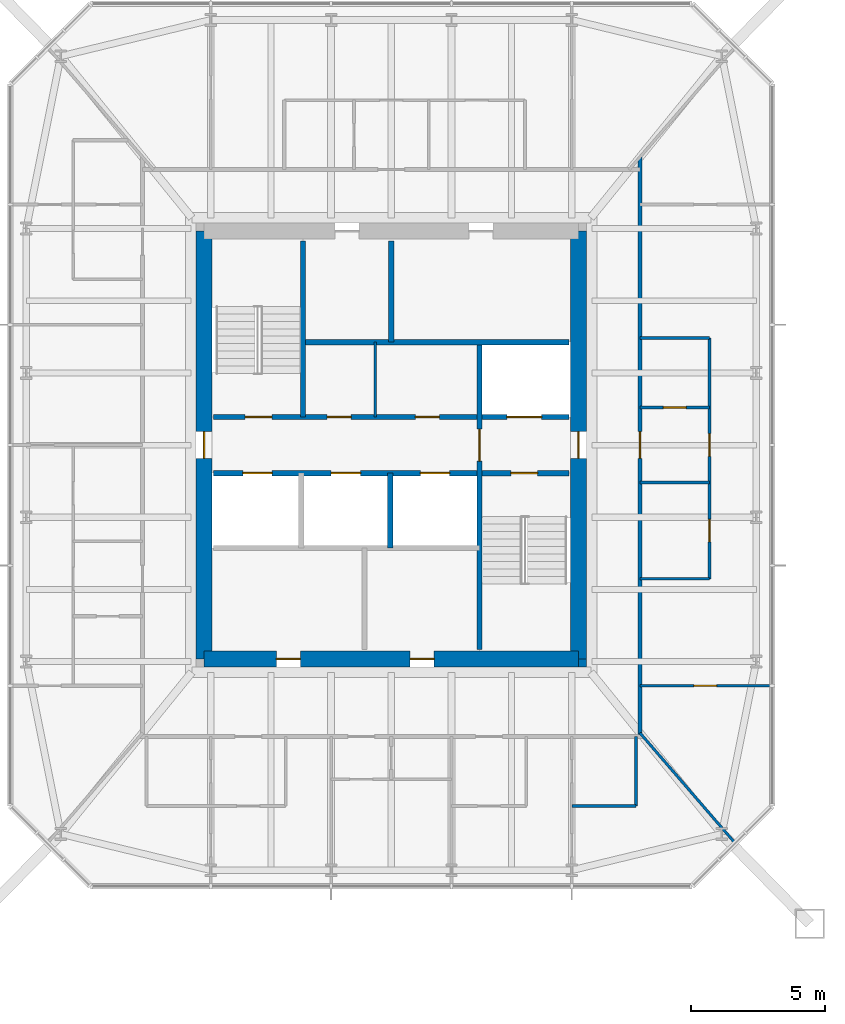
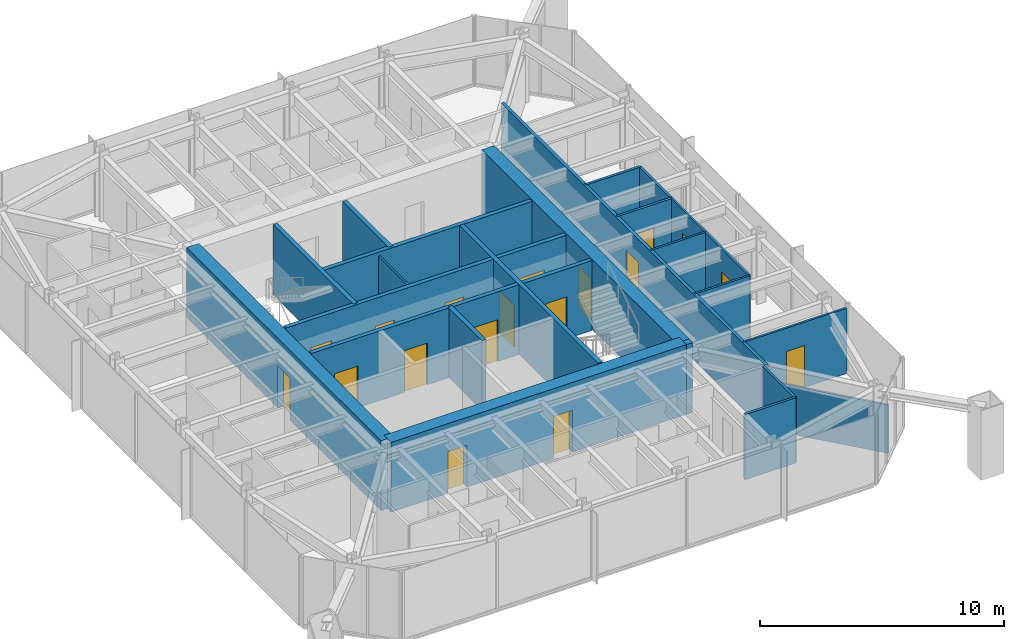
# One storey, part 18 of 25: 22 walls, 18 doors, 18 openings.
"""IFC4 building model written with IfcOpenShell, lengths in metres."""

from ifc_helpers import new_model, si_unit, direction, frame, frame_2d, origin, place, context, subcontext, project, spatial, rectangle, extrude, material, layer, layer_set, type_object, element, fill, save


model = new_model("IFC4")

# Units and contexts
model_context = context("Model", 3, precision=1e-05, world=origin(), true_north=direction((0.0, 1.0)))
body_context = subcontext(model_context, "Body", "Model", "MODEL_VIEW")
ifc_project = project(units=[si_unit("LENGTHUNIT", "METRE"), si_unit("AREAUNIT", "SQUARE_METRE"), si_unit("VOLUMEUNIT", "CUBIC_METRE"), si_unit("PLANEANGLEUNIT", "RADIAN"), si_unit("MASSUNIT", "GRAM", prefix="KILO")], contexts=[model_context])

# Site, building, storey
site_placement = place(None, origin())
site = spatial("IfcSite", under=ifc_project, at=site_placement, CompositionType="ELEMENT")
building_placement = place(site_placement, origin())
building = spatial("IfcBuilding", under=site, at=building_placement, Name="Iwan Alto Co-Living Towers", CompositionType="ELEMENT")
storey_placement = place(building_placement, frame((0.0, 0.0, 84.0)))
storey = spatial("IfcBuildingStorey", under=building, at=storey_placement, Name="L22", CompositionType="ELEMENT", Elevation=84.0)

# Wall, opening, door
ifc_material_1 = material(Name="Gypsum board")
ifc_layer_1 = layer(ifc_material_1, 0.02490234375, Name="Board", Category="Finish")
ifc_material_2 = material(Name="Steel ASTM A1003 ST33H cold-formed studs", Category="steel")
ifc_layer_2 = layer(ifc_material_2, 0.10009765625, Name="Studs", Category="Framing")
ifc_layer_3 = layer(ifc_material_1, 0.02490234375, Name="Board", Category="Finish")
ifc_layer_set_1 = layer_set([ifc_layer_1, ifc_layer_2, ifc_layer_3], Name="CORRIDOR WALL 150")
wall_type_1 = type_object("IfcWallType", Name="CORRIDOR WALL 150", PredefinedType="PARTITIONING", material=ifc_layer_set_1)
wall_1_placement = place(storey_placement, frame((72.300048828125, -10.89990234375, 0.0), z_axis=(0.0, 0.0, 1.0), x_axis=(0.0, 1.0, 0.0)))
wall_1 = element("IfcWall", 1, at=wall_1_placement, inside=storey, type_object=wall_type_1, Name="Partition L22", PredefinedType="PARTITIONING", context=body_context, shape_type="SweptSolid", body=[
    extrude(rectangle(XDim=21.66796875, YDim=0.14990234375, at=frame_2d((10.833984375, 0.0))), origin(), (0.0, 0.0, 1.0), 3.27001953125),
])
opening_1_placement = place(wall_1_placement, frame((10.39990234375, 0.0, 0.0)))
opening_1 = element("IfcOpeningElement", 2, at=opening_1_placement, cuts=wall_1, Name="Opening D3", PredefinedType="OPENING", context=body_context, shape_type="SweptSolid", body=[
    extrude(rectangle(XDim=1.0, YDim=2.10009765625, at=frame_2d((0.5, 1.050048828125))), frame((0.0, 0.0849609375, 0.0), z_axis=(0.0, -1.0, 0.0), x_axis=(1.0, 0.0, 0.0)), (0.0, 0.0, 1.0), 0.169921875),
])
ifc_material_3 = material(Name="Steel frame with timber leaf", Category="steel")
door_type_1 = type_object("IfcDoorType", Name="FLAT ENTRANCE DOOR FD30S 1000X2100", OperationType="SINGLE_SWING_LEFT", PredefinedType="DOOR", material=ifc_material_3)
door_1_placement = place(opening_1_placement, frame((1.0, 0.0, 0.0), z_axis=(0.0, 0.0, 1.0), x_axis=(-1.0, 0.0, 0.0)))
door_1 = element("IfcDoor", 3, at=door_1_placement, inside=storey, type_object=door_type_1, Name="Apartment foyer door L22", OperationType="SINGLE_SWING_RIGHT", OverallHeight=2.10009765625, OverallWidth=1.0, PredefinedType="DOOR", context=body_context, shape_type="SweptSolid", body=[
    extrude(rectangle(XDim=1.0, YDim=2.10009765625, at=frame_2d((0.5, 1.050048828125))), frame((0.0, 0.02490234375, 0.0), z_axis=(0.0, -1.0, 0.0), x_axis=(1.0, 0.0, 0.0)), (0.0, 0.0, 1.0), 0.050048828125),
])
fill(opening_1, door_1)

ifc_layer_4 = layer(ifc_material_1, 0.012451171875, Name="Board", Category="Finish")
ifc_layer_5 = layer(ifc_material_2, 0.074951171875, Name="Studs", Category="Framing")
ifc_layer_6 = layer(ifc_material_1, 0.012451171875, Name="Board", Category="Finish")
ifc_layer_set_2 = layer_set([ifc_layer_4, ifc_layer_5, ifc_layer_6], Name="PARTITION 100")
wall_type_2 = type_object("IfcWallType", Name="PARTITION 100", PredefinedType="PARTITIONING", material=ifc_layer_set_2)
wall_2_placement = place(storey_placement, frame((72.300048828125, -9.0, 0.0), z_axis=(0.0, 0.0, 1.0), x_axis=(1.0, 0.0, 0.0)))
wall_2 = element("IfcWall", 4, at=wall_2_placement, inside=storey, type_object=wall_type_2, Name="Partition L22", PredefinedType="PARTITIONING", context=body_context, shape_type="SweptSolid", body=[
    extrude(rectangle(XDim=4.889892578125, YDim=0.10009765625, at=frame_2d((2.44482421875, 0.0))), origin(), (0.0, 0.0, 1.0), 3.27001953125),
])
opening_2_placement = place(wall_2_placement, frame((2.02001953125, 0.0, 0.0)))
opening_2 = element("IfcOpeningElement", 5, at=opening_2_placement, cuts=wall_2, Name="Opening D2", PredefinedType="OPENING", context=body_context, shape_type="SweptSolid", body=[
    extrude(rectangle(XDim=0.85009765625, YDim=2.10009765625, at=frame_2d((0.425048828125, 1.050048828125))), frame((0.0, 0.06005859375, 0.0), z_axis=(0.0, -1.0, 0.0), x_axis=(1.0, 0.0, 0.0)), (0.0, 0.0, 1.0), 0.1201171875),
])
ifc_material_4 = material(Name="Timber leaf in steel frame", Category="steel")
door_type_2 = type_object("IfcDoorType", Name="ROOM DOOR 850X2100", OperationType="SINGLE_SWING_LEFT", PredefinedType="DOOR", material=ifc_material_4)
door_2_placement = place(opening_2_placement, origin())
door_2 = element("IfcDoor", 6, at=door_2_placement, inside=storey, type_object=door_type_2, Name="Bedroom door L22", OperationType="SINGLE_SWING_LEFT", OverallHeight=2.10009765625, OverallWidth=0.85009765625, PredefinedType="DOOR", context=body_context, shape_type="SweptSolid", body=[
    extrude(rectangle(XDim=0.85009765625, YDim=2.10009765625, at=frame_2d((0.425048828125, 1.050048828125))), frame((0.0, 0.02490234375, 0.0), z_axis=(0.0, -1.0, 0.0), x_axis=(1.0, 0.0, 0.0)), (0.0, 0.0, 1.0), 0.050048828125),
])
fill(opening_2, door_2)

# Walls
for number, where, z_axis, x_axis, name in (
    (7, (72.300048828125, -5.0, 0.0), (0.0, 0.0, 1.0), (1.0, 0.0, 0.0), "Partition L22"),
    (8, (72.300048828125, -1.39990234375, 0.0), (0.0, 0.0, 1.0), (1.0, 0.0, 0.0), "Partition L22"),
):
    element("IfcWall", number, at=place(storey_placement, frame(where, z_axis=z_axis, x_axis=x_axis)), inside=storey, type_object=wall_type_2, Name=name, PredefinedType="PARTITIONING", context=body_context, shape_type="SweptSolid", body=[
        extrude(rectangle(XDim=2.599853515625, YDim=0.10009765625, at=frame_2d((1.2998046875, 0.0))), origin(), (0.0, 0.0, 1.0), 3.27001953125),
    ])

# Wall, openings, doors
wall_3_placement = place(storey_placement, frame((74.89990234375, -5.0, 0.0), z_axis=(0.0, 0.0, 1.0), x_axis=(0.0, 1.0, 0.0)))
wall_3 = element("IfcWall", 9, at=wall_3_placement, inside=storey, type_object=wall_type_2, Name="Partition L22", PredefinedType="PARTITIONING", context=body_context, shape_type="SweptSolid", body=[
    extrude(rectangle(XDim=9.0, YDim=0.10009765625, at=frame_2d((4.5, 0.0))), origin(), (0.0, 0.0, 1.0), 3.27001953125),
])
opening_3_placement = place(wall_3_placement, frame((1.375, 0.0, 0.0)))
opening_3 = element("IfcOpeningElement", 10, at=opening_3_placement, cuts=wall_3, Name="Opening D2", PredefinedType="OPENING", context=body_context, shape_type="SweptSolid", body=[
    extrude(rectangle(XDim=0.85009765625, YDim=2.10009765625, at=frame_2d((0.425048828125, 1.050048828125))), frame((0.0, 0.06005859375, 0.0), z_axis=(0.0, -1.0, 0.0), x_axis=(1.0, 0.0, 0.0)), (0.0, 0.0, 1.0), 0.1201171875),
])
opening_4_placement = place(wall_3_placement, frame((4.574951171875, 0.0, 0.0)))
opening_4 = element("IfcOpeningElement", 11, at=opening_4_placement, cuts=wall_3, Name="Opening D2", PredefinedType="OPENING", context=body_context, shape_type="SweptSolid", body=[
    extrude(rectangle(XDim=0.85009765625, YDim=2.10009765625, at=frame_2d((0.425048828125, 1.050048828125))), frame((0.0, 0.06005859375, 0.0), z_axis=(0.0, -1.0, 0.0), x_axis=(1.0, 0.0, 0.0)), (0.0, 0.0, 1.0), 0.1201171875),
])
door_3_placement = place(opening_3_placement, frame((0.85009765625, 0.0, 0.0), z_axis=(0.0, 0.0, 1.0), x_axis=(-1.0, 0.0, 0.0)))
door_3 = element("IfcDoor", 12, at=door_3_placement, inside=storey, type_object=door_type_2, Name="Kitchen door L22", OperationType="SINGLE_SWING_RIGHT", OverallHeight=2.10009765625, OverallWidth=0.85009765625, PredefinedType="DOOR", context=body_context, shape_type="SweptSolid", body=[
    extrude(rectangle(XDim=0.85009765625, YDim=2.10009765625, at=frame_2d((0.425048828125, 1.050048828125))), frame((0.0, 0.02490234375, 0.0), z_axis=(0.0, -1.0, 0.0), x_axis=(1.0, 0.0, 0.0)), (0.0, 0.0, 1.0), 0.050048828125),
])
fill(opening_3, door_3)
door_4_placement = place(opening_4_placement, frame((0.85009765625, 0.0, 0.0), z_axis=(0.0, 0.0, 1.0), x_axis=(-1.0, 0.0, 0.0)))
door_4 = element("IfcDoor", 13, at=door_4_placement, inside=storey, type_object=door_type_2, Name="Apartment foyer door L22", OperationType="SINGLE_SWING_RIGHT", OverallHeight=2.10009765625, OverallWidth=0.85009765625, PredefinedType="DOOR", context=body_context, shape_type="SweptSolid", body=[
    extrude(rectangle(XDim=0.85009765625, YDim=2.10009765625, at=frame_2d((0.425048828125, 1.050048828125))), frame((0.0, 0.02490234375, 0.0), z_axis=(0.0, -1.0, 0.0), x_axis=(1.0, 0.0, 0.0)), (0.0, 0.0, 1.0), 0.050048828125),
])
fill(opening_4, door_4)

# Walls
wall_4_placement = place(storey_placement, frame((62.39990234375, 1.050048828125, 0.0), z_axis=(0.0, 0.0, 1.0), x_axis=(0.0, 1.0, 0.0)))
element("IfcWall", 14, at=wall_4_placement, inside=storey, type_object=wall_type_2, Name="Partition L22", PredefinedType="PARTITIONING", context=body_context, shape_type="SweptSolid", body=[
    extrude(rectangle(XDim=2.800048828125, YDim=0.10009765625, at=frame_2d((1.39990234375, 0.0))), origin(), (0.0, 0.0, 1.0), 3.300048828125),
])
wall_5_placement = place(storey_placement, frame((75.821044921875, -14.843994140625, 0.0), z_axis=(0.0, 0.0, 1.0), x_axis=(-0.653713095188, 0.756742485381, 0.0)))
element("IfcWall", 15, at=wall_5_placement, inside=storey, type_object=wall_type_2, Name="Partition L22", PredefinedType="PARTITIONING", context=body_context, shape_type="SweptSolid", body=[
    extrude(rectangle(XDim=5.38623046875, YDim=0.10009765625, at=frame_2d((2.693115234375, 0.0))), origin(), (0.0, 0.0, 1.0), 2.42919921875),
])

# Wall, openings, doors
ifc_material_5 = material(Name="Concrete f'c 70 MPa", Category="concrete")
ifc_layer_7 = layer(ifc_material_5, 0.199951171875)
ifc_layer_set_3 = layer_set([ifc_layer_7], Name="SHAFT WALL 200")
wall_type_3 = type_object("IfcWallType", Name="SHAFT WALL 200", PredefinedType="SOLIDWALL", material=ifc_layer_set_3)
wall_6_placement = place(storey_placement, frame((56.360107421875, -1.050048828125, 0.0), z_axis=(0.0, 0.0, 1.0), x_axis=(1.0, 0.0, 0.0)))
wall_6 = element("IfcWall", 16, at=wall_6_placement, inside=storey, type_object=wall_type_3, Name="Shaft wall L22", PredefinedType="SOLIDWALL", context=body_context, shape_type="SweptSolid", body=[
    extrude(rectangle(XDim=13.27978515625, YDim=0.199951171875, at=frame_2d((6.639892578125, 0.0))), origin(), (0.0, 0.0, 1.0), 3.5),
])
opening_5_placement = place(wall_6_placement, frame((11.110107421875, 0.0, 0.0)))
opening_5 = element("IfcOpeningElement", 17, at=opening_5_placement, cuts=wall_6, Name="Opening D5", PredefinedType="OPENING", context=body_context, shape_type="SweptSolid", body=[
    extrude(rectangle(XDim=1.0, YDim=2.10009765625, at=frame_2d((0.5, 1.050048828125))), frame((0.0, 0.10986328125, 0.0), z_axis=(0.0, -1.0, 0.0), x_axis=(1.0, 0.0, 0.0)), (0.0, 0.0, 1.0), 0.219970703125),
])
opening_6_placement = place(wall_6_placement, frame((1.0869140625, 0.0, 0.0)))
opening_6 = element("IfcOpeningElement", 18, at=opening_6_placement, cuts=wall_6, Name="Opening LD", PredefinedType="OPENING", context=body_context, shape_type="SweptSolid", body=[
    extrude(rectangle(XDim=1.10009765625, YDim=2.10009765625, at=frame_2d((0.550048828125, 1.050048828125))), frame((0.0, 0.10986328125, 0.0), z_axis=(0.0, -1.0, 0.0), x_axis=(1.0, 0.0, 0.0)), (0.0, 0.0, 1.0), 0.219970703125),
])
opening_7_placement = place(wall_6_placement, frame((4.389892578125, 0.0, 0.0)))
opening_7 = element("IfcOpeningElement", 19, at=opening_7_placement, cuts=wall_6, Name="Opening LD", PredefinedType="OPENING", context=body_context, shape_type="SweptSolid", body=[
    extrude(rectangle(XDim=1.10009765625, YDim=2.10009765625, at=frame_2d((0.550048828125, 1.050048828125))), frame((0.0, 0.10986328125, 0.0), z_axis=(0.0, -1.0, 0.0), x_axis=(1.0, 0.0, 0.0)), (0.0, 0.0, 1.0), 0.219970703125),
])
opening_8_placement = place(wall_6_placement, frame((7.72412109375, 0.0, 0.0)))
opening_8 = element("IfcOpeningElement", 20, at=opening_8_placement, cuts=wall_6, Name="Opening LD", PredefinedType="OPENING", context=body_context, shape_type="SweptSolid", body=[
    extrude(rectangle(XDim=1.10009765625, YDim=2.10009765625, at=frame_2d((0.550048828125, 1.050048828125))), frame((0.0, 0.10986328125, 0.0), z_axis=(0.0, -1.0, 0.0), x_axis=(1.0, 0.0, 0.0)), (0.0, 0.0, 1.0), 0.219970703125),
])
ifc_material_6 = material(Name="Steel frame with timber leaf", Category="steel")
door_type_3 = type_object("IfcDoorType", Name="LIFT LANDING DOOR 1100X2100", OperationType="DOUBLE_DOOR_SLIDING", PredefinedType="DOOR", material=ifc_material_6)
door_5_placement = place(opening_6_placement, origin())
door_5 = element("IfcDoor", 21, at=door_5_placement, inside=storey, type_object=door_type_3, Name="Lift P5-1 landing door L22", OperationType="DOUBLE_DOOR_SLIDING", OverallHeight=2.10009765625, OverallWidth=1.10009765625, PredefinedType="DOOR", context=body_context, shape_type="SweptSolid", body=[
    extrude(rectangle(XDim=1.10009765625, YDim=2.10009765625, at=frame_2d((0.550048828125, 1.050048828125))), frame((0.0, 0.02490234375, 0.0), z_axis=(0.0, -1.0, 0.0), x_axis=(1.0, 0.0, 0.0)), (0.0, 0.0, 1.0), 0.050048828125),
])
fill(opening_6, door_5)
door_6_placement = place(opening_7_placement, origin())
door_6 = element("IfcDoor", 22, at=door_6_placement, inside=storey, type_object=door_type_3, Name="Lift P5-2 landing door L22", OperationType="DOUBLE_DOOR_SLIDING", OverallHeight=2.10009765625, OverallWidth=1.10009765625, PredefinedType="DOOR", context=body_context, shape_type="SweptSolid", body=[
    extrude(rectangle(XDim=1.10009765625, YDim=2.10009765625, at=frame_2d((0.550048828125, 1.050048828125))), frame((0.0, 0.02490234375, 0.0), z_axis=(0.0, -1.0, 0.0), x_axis=(1.0, 0.0, 0.0)), (0.0, 0.0, 1.0), 0.050048828125),
])
fill(opening_7, door_6)
door_7_placement = place(opening_8_placement, origin())
door_7 = element("IfcDoor", 23, at=door_7_placement, inside=storey, type_object=door_type_3, Name="Lift P6-3 landing door L22", OperationType="DOUBLE_DOOR_SLIDING", OverallHeight=2.10009765625, OverallWidth=1.10009765625, PredefinedType="DOOR", context=body_context, shape_type="SweptSolid", body=[
    extrude(rectangle(XDim=1.10009765625, YDim=2.10009765625, at=frame_2d((0.550048828125, 1.050048828125))), frame((0.0, 0.02490234375, 0.0), z_axis=(0.0, -1.0, 0.0), x_axis=(1.0, 0.0, 0.0)), (0.0, 0.0, 1.0), 0.050048828125),
])
fill(opening_8, door_7)
ifc_material_7 = material(Name="Steel frame with timber leaf", Category="steel")
door_type_4 = type_object("IfcDoorType", Name="STAIR DOOR FD120S 1000X2100", OperationType="SINGLE_SWING_LEFT", PredefinedType="DOOR", material=ifc_material_7)
door_8_placement = place(opening_5_placement, frame((1.0, 0.0, 0.0), z_axis=(0.0, 0.0, 1.0), x_axis=(-1.0, 0.0, 0.0)))
door_8 = element("IfcDoor", 24, at=door_8_placement, inside=storey, type_object=door_type_4, Name="Stair S2 door L22", OperationType="SINGLE_SWING_RIGHT", OverallHeight=2.10009765625, OverallWidth=1.0, PredefinedType="DOOR", context=body_context, shape_type="SweptSolid", body=[
    extrude(rectangle(XDim=1.0, YDim=2.10009765625, at=frame_2d((0.5, 1.050048828125))), frame((0.0, 0.02490234375, 0.0), z_axis=(0.0, -1.0, 0.0), x_axis=(1.0, 0.0, 0.0)), (0.0, 0.0, 1.0), 0.050048828125),
])
fill(opening_5, door_8)

wall_7_placement = place(storey_placement, frame((56.360107421875, 1.050048828125, 0.0), z_axis=(0.0, 0.0, 1.0), x_axis=(1.0, 0.0, 0.0)))
wall_7 = element("IfcWall", 25, at=wall_7_placement, inside=storey, type_object=wall_type_3, Name="Shaft wall L22", PredefinedType="SOLIDWALL", context=body_context, shape_type="SweptSolid", body=[
    extrude(rectangle(XDim=13.27978515625, YDim=0.199951171875, at=frame_2d((6.639892578125, 0.0))), origin(), (0.0, 0.0, 1.0), 3.5),
])
opening_9_placement = place(wall_7_placement, frame((1.169921875, 0.0, 0.0)))
opening_9 = element("IfcOpeningElement", 26, at=opening_9_placement, cuts=wall_7, Name="Opening D5", PredefinedType="OPENING", context=body_context, shape_type="SweptSolid", body=[
    extrude(rectangle(XDim=1.0, YDim=2.10009765625, at=frame_2d((0.5, 1.050048828125))), frame((0.0, 0.10986328125, 0.0), z_axis=(0.0, -1.0, 0.0), x_axis=(1.0, 0.0, 0.0)), (0.0, 0.0, 1.0), 0.219970703125),
])
opening_10_placement = place(wall_7_placement, frame((7.5400390625, 0.0, 0.0)))
opening_10 = element("IfcOpeningElement", 27, at=opening_10_placement, cuts=wall_7, Name="Opening D8", PredefinedType="OPENING", context=body_context, shape_type="SweptSolid", body=[
    extrude(rectangle(XDim=0.89990234375, YDim=2.10009765625, at=frame_2d((0.449951171875, 1.050048828125))), frame((0.0, 0.10986328125, 0.0), z_axis=(0.0, -1.0, 0.0), x_axis=(1.0, 0.0, 0.0)), (0.0, 0.0, 1.0), 0.219970703125),
])
opening_11_placement = place(wall_7_placement, frame((4.239990234375, 0.0, 0.0)))
opening_11 = element("IfcOpeningElement", 28, at=opening_11_placement, cuts=wall_7, Name="Opening D15", PredefinedType="OPENING", context=body_context, shape_type="SweptSolid", body=[
    extrude(rectangle(XDim=0.89990234375, YDim=2.10009765625, at=frame_2d((0.449951171875, 1.050048828125))), frame((0.0, 0.10986328125, 0.0), z_axis=(0.0, -1.0, 0.0), x_axis=(1.0, 0.0, 0.0)), (0.0, 0.0, 1.0), 0.219970703125),
])
opening_12_placement = place(wall_7_placement, frame((10.9599609375, 0.0, 0.0)))
opening_12 = element("IfcOpeningElement", 29, at=opening_12_placement, cuts=wall_7, Name="Opening LD2", PredefinedType="OPENING", context=body_context, shape_type="SweptSolid", body=[
    extrude(rectangle(XDim=1.300048828125, YDim=2.10009765625, at=frame_2d((0.64990234375, 1.050048828125))), frame((0.0, 0.10986328125, 0.0), z_axis=(0.0, -1.0, 0.0), x_axis=(1.0, 0.0, 0.0)), (0.0, 0.0, 1.0), 0.219970703125),
])
ifc_material_8 = material(Name="Steel frame with timber leaf", Category="steel")
door_type_5 = type_object("IfcDoorType", Name="CORE ROOM DOOR FD60S 900X2100", OperationType="SINGLE_SWING_LEFT", PredefinedType="DOOR", material=ifc_material_8)
door_9_placement = place(opening_11_placement, origin())
door_9 = element("IfcDoor", 30, at=door_9_placement, inside=storey, type_object=door_type_5, Name="Sprinkler valve room door L22", OperationType="SINGLE_SWING_LEFT", OverallHeight=2.10009765625, OverallWidth=0.89990234375, PredefinedType="DOOR", context=body_context, shape_type="SweptSolid", body=[
    extrude(rectangle(XDim=0.89990234375, YDim=2.10009765625, at=frame_2d((0.449951171875, 1.050048828125))), frame((0.0, 0.02490234375, 0.0), z_axis=(0.0, -1.0, 0.0), x_axis=(1.0, 0.0, 0.0)), (0.0, 0.0, 1.0), 0.050048828125),
])
fill(opening_11, door_9)
ifc_material_9 = material(Name="Steel frame with timber leaf", Category="steel")
door_type_6 = type_object("IfcDoorType", Name="LIFT LANDING DOOR 1300X2100", OperationType="SLIDING_TO_LEFT", PredefinedType="DOOR", material=ifc_material_9)
door_10_placement = place(opening_12_placement, origin())
door_10 = element("IfcDoor", 31, at=door_10_placement, inside=storey, type_object=door_type_6, Name="Lift FL2 landing door L22", OperationType="SLIDING_TO_LEFT", OverallHeight=2.10009765625, OverallWidth=1.300048828125, PredefinedType="DOOR", context=body_context, shape_type="SweptSolid", body=[
    extrude(rectangle(XDim=1.300048828125, YDim=2.10009765625, at=frame_2d((0.64990234375, 1.050048828125))), frame((0.0, 0.02490234375, 0.0), z_axis=(0.0, -1.0, 0.0), x_axis=(1.0, 0.0, 0.0)), (0.0, 0.0, 1.0), 0.050048828125),
])
fill(opening_12, door_10)
ifc_material_10 = material(Name="Steel frame with timber leaf", Category="steel")
door_type_7 = type_object("IfcDoorType", Name="RISER DOOR FD120 900X2100", OperationType="SINGLE_SWING_LEFT", PredefinedType="DOOR", material=ifc_material_10)
door_11_placement = place(opening_10_placement, origin())
door_11 = element("IfcDoor", 32, at=door_11_placement, inside=storey, type_object=door_type_7, Name="Riser room door L22", OperationType="SINGLE_SWING_LEFT", OverallHeight=2.10009765625, OverallWidth=0.89990234375, PredefinedType="DOOR", context=body_context, shape_type="SweptSolid", body=[
    extrude(rectangle(XDim=0.89990234375, YDim=2.10009765625, at=frame_2d((0.449951171875, 1.050048828125))), frame((0.0, 0.02490234375, 0.0), z_axis=(0.0, -1.0, 0.0), x_axis=(1.0, 0.0, 0.0)), (0.0, 0.0, 1.0), 0.050048828125),
])
fill(opening_10, door_11)
door_12_placement = place(opening_9_placement, origin())
door_12 = element("IfcDoor", 33, at=door_12_placement, inside=storey, type_object=door_type_4, Name="Stair S1 door L22", OperationType="SINGLE_SWING_RIGHT", OverallHeight=2.10009765625, OverallWidth=1.0, PredefinedType="DOOR", context=body_context, shape_type="SweptSolid", body=[
    extrude(rectangle(XDim=1.0, YDim=2.10009765625, at=frame_2d((0.5, 1.050048828125))), frame((0.0, 0.02490234375, 0.0), z_axis=(0.0, -1.0, 0.0), x_axis=(1.0, 0.0, 0.0)), (0.0, 0.0, 1.0), 0.050048828125),
])
fill(opening_9, door_12)

# Wall
wall_8_placement = place(storey_placement, frame((59.699951171875, 3.85009765625, 0.0), z_axis=(0.0, 0.0, 1.0), x_axis=(1.0, 0.0, 0.0)))
element("IfcWall", 34, at=wall_8_placement, inside=storey, type_object=wall_type_3, Name="Shaft wall L22", PredefinedType="SOLIDWALL", context=body_context, shape_type="SweptSolid", body=[
    extrude(rectangle(XDim=9.93994140625, YDim=0.199951171875, at=frame_2d((4.969970703125, 0.0))), origin(), (0.0, 0.0, 1.0), 3.5),
])

# Wall, opening, door
wall_9_placement = place(storey_placement, frame((66.300048828125, -7.639892578125, 0.0), z_axis=(0.0, 0.0, 1.0), x_axis=(0.0, 1.0, 0.0)))
wall_9 = element("IfcWall", 35, at=wall_9_placement, inside=storey, type_object=wall_type_3, Name="Shaft wall L22", PredefinedType="SOLIDWALL", context=body_context, shape_type="SweptSolid", body=[
    extrude(rectangle(XDim=11.489990234375, YDim=0.199951171875, at=frame_2d((5.7451171875, 0.0))), origin(), (0.0, 0.0, 1.0), 3.5),
])
opening_13_placement = place(wall_9_placement, frame((7.0400390625, 0.0, 0.0)))
opening_13 = element("IfcOpeningElement", 36, at=opening_13_placement, cuts=wall_9, Name="Opening D6", PredefinedType="OPENING", context=body_context, shape_type="SweptSolid", body=[
    extrude(rectangle(XDim=1.199951171875, YDim=2.10009765625, at=frame_2d((0.60009765625, 1.050048828125))), frame((0.0, 0.10986328125, 0.0), z_axis=(0.0, -1.0, 0.0), x_axis=(1.0, 0.0, 0.0)), (0.0, 0.0, 1.0), 0.219970703125),
])
ifc_material_11 = material(Name="Steel frame with timber leaf", Category="steel")
door_type_8 = type_object("IfcDoorType", Name="LOBBY DOOR FD120S 1200X2100", OperationType="SINGLE_SWING_LEFT", PredefinedType="DOOR", material=ifc_material_11)
door_13_placement = place(opening_13_placement, frame((1.199951171875, 0.0, 0.0), z_axis=(0.0, 0.0, 1.0), x_axis=(-1.0, 0.0, 0.0)))
door_13 = element("IfcDoor", 37, at=door_13_placement, inside=storey, type_object=door_type_8, Name="Firefighting lobby door L22", OperationType="SINGLE_SWING_RIGHT", OverallHeight=2.10009765625, OverallWidth=1.199951171875, PredefinedType="DOOR", context=body_context, shape_type="SweptSolid", body=[
    extrude(rectangle(XDim=1.199951171875, YDim=2.10009765625, at=frame_2d((0.60009765625, 1.050048828125))), frame((0.0, 0.02490234375, 0.0), z_axis=(0.0, -1.0, 0.0), x_axis=(1.0, 0.0, 0.0)), (0.0, 0.0, 1.0), 0.050048828125),
])
fill(opening_13, door_13)

# Walls
wall_10_placement = place(storey_placement, frame((63.0, 3.85009765625, 0.0), z_axis=(0.0, 0.0, 1.0), x_axis=(0.0, 1.0, 0.0)))
element("IfcWall", 38, at=wall_10_placement, inside=storey, type_object=wall_type_3, Name="Shaft wall L22", PredefinedType="SOLIDWALL", context=body_context, shape_type="SweptSolid", body=[
    extrude(rectangle(XDim=3.789794921875, YDim=0.199951171875, at=frame_2d((1.89501953125, 0.0))), origin(), (0.0, 0.0, 1.0), 3.5),
])
wall_11_placement = place(storey_placement, frame((62.967041015625, -3.85009765625, 0.0), z_axis=(0.0, 0.0, 1.0), x_axis=(0.0, 1.0, 0.0)))
element("IfcWall", 39, at=wall_11_placement, inside=storey, type_object=wall_type_3, Name="Shaft wall L22", PredefinedType="SOLIDWALL", context=body_context, shape_type="SweptSolid", body=[
    extrude(rectangle(XDim=2.800048828125, YDim=0.199951171875, at=frame_2d((1.39990234375, 0.0))), origin(), (0.0, 0.0, 1.0), 3.5),
])
wall_12_placement = place(storey_placement, frame((59.699951171875, 1.050048828125, 0.0), z_axis=(0.0, 0.0, 1.0), x_axis=(0.0, 1.0, 0.0)))
element("IfcWall", 40, at=wall_12_placement, inside=storey, type_object=wall_type_3, Name="Shaft wall L22", PredefinedType="SOLIDWALL", context=body_context, shape_type="SweptSolid", body=[
    extrude(rectangle(XDim=6.58984375, YDim=0.199951171875, at=frame_2d((3.294921875, 0.0))), origin(), (0.0, 0.0, 1.0), 3.5),
])
ifc_material_12 = material(Name="Concrete f'c 70 MPa", Category="concrete")
ifc_layer_8 = layer(ifc_material_12, 0.300048828125)
ifc_layer_set_4 = layer_set([ifc_layer_8], Name="T2 CORE CORNER FILL 300")
wall_type_4 = type_object("IfcWallType", Name="T2 CORE CORNER FILL 300", PredefinedType="SOLIDWALL", material=ifc_layer_set_4)
wall_13_placement = place(storey_placement, frame((70.0, -8.14990234375, 0.0), z_axis=(0.0, 0.0, 1.0), x_axis=(1.0, 0.0, 0.0)))
element("IfcWall", 41, at=wall_13_placement, inside=storey, type_object=wall_type_4, Name="T2 core corner SE L22", PredefinedType="SOLIDWALL", context=body_context, shape_type="SweptSolid", body=[
    extrude(rectangle(XDim=0.300048828125, YDim=0.300048828125, at=frame_2d((0.14990234375, 0.0))), origin(), (0.0, 0.0, 1.0), 3.5),
])

# Wall, openings, doors
ifc_material_13 = material(Name="Concrete f'c 70 MPa", Category="concrete")
ifc_layer_9 = layer(ifc_material_13, 0.60009765625)
ifc_layer_set_5 = layer_set([ifc_layer_9], Name="T2 CORE WALL 600")
wall_type_5 = type_object("IfcWallType", Name="T2 CORE WALL 600", PredefinedType="SHEAR", material=ifc_layer_set_5)
wall_14_placement = place(storey_placement, frame((56.0, -8.0, 0.0), z_axis=(0.0, 0.0, 1.0), x_axis=(1.0, 0.0, 0.0)))
wall_14 = element("IfcWall", 42, at=wall_14_placement, inside=storey, type_object=wall_type_5, Name="T2 core wall S L22", PredefinedType="SHEAR", context=body_context, shape_type="SweptSolid", body=[
    extrude(rectangle(XDim=14.0, YDim=0.60009765625, at=frame_2d((7.0, 0.0))), origin(), (0.0, 0.0, 1.0), 3.5),
])
opening_14_placement = place(wall_14_placement, frame((2.699951171875, 0.0, 0.0)))
opening_14 = element("IfcOpeningElement", 43, at=opening_14_placement, cuts=wall_14, Name="Opening D8", PredefinedType="OPENING", context=body_context, shape_type="SweptSolid", body=[
    extrude(rectangle(XDim=0.89990234375, YDim=2.10009765625, at=frame_2d((0.449951171875, 1.050048828125))), frame((0.0, 0.31005859375, 0.0), z_axis=(0.0, -1.0, 0.0), x_axis=(1.0, 0.0, 0.0)), (0.0, 0.0, 1.0), 0.6201171875),
])
opening_15_placement = place(wall_14_placement, frame((7.699951171875, 0.0, 0.0)))
opening_15 = element("IfcOpeningElement", 44, at=opening_15_placement, cuts=wall_14, Name="Opening D8", PredefinedType="OPENING", context=body_context, shape_type="SweptSolid", body=[
    extrude(rectangle(XDim=0.89990234375, YDim=2.10009765625, at=frame_2d((0.449951171875, 1.050048828125))), frame((0.0, 0.31005859375, 0.0), z_axis=(0.0, -1.0, 0.0), x_axis=(1.0, 0.0, 0.0)), (0.0, 0.0, 1.0), 0.6201171875),
])
door_14_placement = place(opening_14_placement, origin())
door_14 = element("IfcDoor", 45, at=door_14_placement, inside=storey, type_object=door_type_7, Name="Refuse room core door L22", OperationType="SINGLE_SWING_LEFT", OverallHeight=2.10009765625, OverallWidth=0.89990234375, PredefinedType="DOOR", context=body_context, shape_type="SweptSolid", body=[
    extrude(rectangle(XDim=0.89990234375, YDim=2.10009765625, at=frame_2d((0.449951171875, 1.050048828125))), frame((0.0, 0.02490234375, 0.0), z_axis=(0.0, -1.0, 0.0), x_axis=(1.0, 0.0, 0.0)), (0.0, 0.0, 1.0), 0.050048828125),
])
fill(opening_14, door_14)
door_15_placement = place(opening_15_placement, origin())
door_15 = element("IfcDoor", 46, at=door_15_placement, inside=storey, type_object=door_type_7, Name="Telecom riser core door L22", OperationType="SINGLE_SWING_LEFT", OverallHeight=2.10009765625, OverallWidth=0.89990234375, PredefinedType="DOOR", context=body_context, shape_type="SweptSolid", body=[
    extrude(rectangle(XDim=0.89990234375, YDim=2.10009765625, at=frame_2d((0.449951171875, 1.050048828125))), frame((0.0, 0.02490234375, 0.0), z_axis=(0.0, -1.0, 0.0), x_axis=(1.0, 0.0, 0.0)), (0.0, 0.0, 1.0), 0.050048828125),
])
fill(opening_15, door_15)

# Wall, opening, door
wall_15_placement = place(storey_placement, frame((70.0, -8.0, 0.0), z_axis=(0.0, 0.0, 1.0), x_axis=(0.0, 1.0, 0.0)))
wall_15 = element("IfcWall", 47, at=wall_15_placement, inside=storey, type_object=wall_type_5, Name="T2 core wall E L22", PredefinedType="SHEAR", context=body_context, shape_type="SweptSolid", body=[
    extrude(rectangle(XDim=16.0, YDim=0.60009765625, at=frame_2d((8.0, 0.0))), origin(), (0.0, 0.0, 1.0), 3.5),
])
opening_16_placement = place(wall_15_placement, frame((7.5, 0.0, 0.0)))
opening_16 = element("IfcOpeningElement", 48, at=opening_16_placement, cuts=wall_15, Name="Opening D7", PredefinedType="OPENING", context=body_context, shape_type="SweptSolid", body=[
    extrude(rectangle(XDim=1.0, YDim=2.10009765625, at=frame_2d((0.5, 1.050048828125))), frame((0.0, 0.31005859375, 0.0), z_axis=(0.0, -1.0, 0.0), x_axis=(1.0, 0.0, 0.0)), (0.0, 0.0, 1.0), 0.6201171875),
])
ifc_material_14 = material(Name="Steel frame with timber leaf", Category="steel")
door_type_9 = type_object("IfcDoorType", Name="CORE DOOR FD120S 1000X2100", OperationType="SINGLE_SWING_LEFT", PredefinedType="DOOR", material=ifc_material_14)
door_16_placement = place(opening_16_placement, origin())
door_16 = element("IfcDoor", 49, at=door_16_placement, inside=storey, type_object=door_type_9, Name="Firefighting lobby core door L22", OperationType="SINGLE_SWING_LEFT", OverallHeight=2.10009765625, OverallWidth=1.0, PredefinedType="DOOR", context=body_context, shape_type="SweptSolid", body=[
    extrude(rectangle(XDim=1.0, YDim=2.10009765625, at=frame_2d((0.5, 1.050048828125))), frame((0.0, 0.02490234375, 0.0), z_axis=(0.0, -1.0, 0.0), x_axis=(1.0, 0.0, 0.0)), (0.0, 0.0, 1.0), 0.050048828125),
])
fill(opening_16, door_16)

wall_16_placement = place(storey_placement, frame((56.0, 8.0, 0.0), z_axis=(0.0, 0.0, 1.0), x_axis=(0.0, -1.0, 0.0)))
wall_16 = element("IfcWall", 50, at=wall_16_placement, inside=storey, type_object=wall_type_5, Name="T2 core wall W L22", PredefinedType="SHEAR", context=body_context, shape_type="SweptSolid", body=[
    extrude(rectangle(XDim=16.0, YDim=0.60009765625, at=frame_2d((8.0, 0.0))), origin(), (0.0, 0.0, 1.0), 3.5),
])
opening_17_placement = place(wall_16_placement, frame((7.5, 0.0, 0.0)))
opening_17 = element("IfcOpeningElement", 51, at=opening_17_placement, cuts=wall_16, Name="Opening D7", PredefinedType="OPENING", context=body_context, shape_type="SweptSolid", body=[
    extrude(rectangle(XDim=1.0, YDim=2.10009765625, at=frame_2d((0.5, 1.050048828125))), frame((0.0, 0.31005859375, 0.0), z_axis=(0.0, -1.0, 0.0), x_axis=(1.0, 0.0, 0.0)), (0.0, 0.0, 1.0), 0.6201171875),
])
door_17_placement = place(opening_17_placement, origin())
door_17 = element("IfcDoor", 52, at=door_17_placement, inside=storey, type_object=door_type_9, Name="Lift lobby core door L22", OperationType="SINGLE_SWING_RIGHT", OverallHeight=2.10009765625, OverallWidth=1.0, PredefinedType="DOOR", context=body_context, shape_type="SweptSolid", body=[
    extrude(rectangle(XDim=1.0, YDim=2.10009765625, at=frame_2d((0.5, 1.050048828125))), frame((0.0, 0.02490234375, 0.0), z_axis=(0.0, -1.0, 0.0), x_axis=(1.0, 0.0, 0.0)), (0.0, 0.0, 1.0), 0.050048828125),
])
fill(opening_17, door_17)

# Wall
ifc_material_15 = material(Name="Cement board")
ifc_layer_10 = layer(ifc_material_15, 0.012451171875, Name="Board", Category="Finish")
ifc_layer_11 = layer(ifc_material_2, 0.094970703125, Name="Studs", Category="Framing")
ifc_layer_12 = layer(ifc_material_15, 0.012451171875, Name="Board", Category="Finish")
ifc_layer_set_6 = layer_set([ifc_layer_10, ifc_layer_11, ifc_layer_12], Name="WET AREA PARTITION 120")
wall_type_6 = type_object("IfcWallType", Name="WET AREA PARTITION 120", PredefinedType="PARTITIONING", material=ifc_layer_set_6)
wall_17_placement = place(storey_placement, frame((69.75, -13.5, 0.0), z_axis=(0.0, 0.0, 1.0), x_axis=(1.0, 0.0, 0.0)))
element("IfcWall", 53, at=wall_17_placement, inside=storey, type_object=wall_type_6, Name="Partition L22", PredefinedType="PARTITIONING", context=body_context, shape_type="SweptSolid", body=[
    extrude(rectangle(XDim=2.39990234375, YDim=0.1201171875, at=frame_2d((1.199951171875, 0.0))), origin(), (0.0, 0.0, 1.0), 3.27001953125),
])

# Wall, opening, door
wall_18_placement = place(storey_placement, frame((72.300048828125, 1.39990234375, 0.0), z_axis=(0.0, 0.0, 1.0), x_axis=(1.0, 0.0, 0.0)))
wall_18 = element("IfcWall", 54, at=wall_18_placement, inside=storey, type_object=wall_type_6, Name="Partition L22", PredefinedType="PARTITIONING", context=body_context, shape_type="SweptSolid", body=[
    extrude(rectangle(XDim=2.599853515625, YDim=0.1201171875, at=frame_2d((1.2998046875, 0.0))), origin(), (0.0, 0.0, 1.0), 3.27001953125),
])
opening_18_placement = place(wall_18_placement, frame((0.875, 0.0, 0.0)))
opening_18 = element("IfcOpeningElement", 55, at=opening_18_placement, cuts=wall_18, Name="Opening D2", PredefinedType="OPENING", context=body_context, shape_type="SweptSolid", body=[
    extrude(rectangle(XDim=0.85009765625, YDim=2.10009765625, at=frame_2d((0.425048828125, 1.050048828125))), frame((0.0, 0.070068359375, 0.0), z_axis=(0.0, -1.0, 0.0), x_axis=(1.0, 0.0, 0.0)), (0.0, 0.0, 1.0), 0.14013671875),
])
door_18_placement = place(opening_18_placement, origin())
door_18 = element("IfcDoor", 56, at=door_18_placement, inside=storey, type_object=door_type_2, Name="Bathroom door L22", OperationType="SINGLE_SWING_LEFT", OverallHeight=2.10009765625, OverallWidth=0.85009765625, PredefinedType="DOOR", context=body_context, shape_type="SweptSolid", body=[
    extrude(rectangle(XDim=0.85009765625, YDim=2.10009765625, at=frame_2d((0.425048828125, 1.050048828125))), frame((0.0, 0.02490234375, 0.0), z_axis=(0.0, -1.0, 0.0), x_axis=(1.0, 0.0, 0.0)), (0.0, 0.0, 1.0), 0.050048828125),
])
fill(opening_18, door_18)

# Walls
wall_19_placement = place(storey_placement, frame((72.300048828125, 4.0, 0.0), z_axis=(0.0, 0.0, 1.0), x_axis=(1.0, 0.0, 0.0)))
element("IfcWall", 57, at=wall_19_placement, inside=storey, type_object=wall_type_6, Name="Partition L22", PredefinedType="PARTITIONING", context=body_context, shape_type="SweptSolid", body=[
    extrude(rectangle(XDim=2.599853515625, YDim=0.1201171875, at=frame_2d((1.2998046875, 0.0))), origin(), (0.0, 0.0, 1.0), 3.27001953125),
])
wall_20_placement = place(storey_placement, frame((72.14990234375, -13.5, 0.0), z_axis=(0.0, 0.0, 1.0), x_axis=(0.0, 1.0, 0.0)))
element("IfcWall", 58, at=wall_20_placement, inside=storey, type_object=wall_type_6, Name="Partition L22", PredefinedType="PARTITIONING", context=body_context, shape_type="SweptSolid", body=[
    extrude(rectangle(XDim=2.60009765625, YDim=0.1201171875, at=frame_2d((1.300048828125, 0.0))), origin(), (0.0, 0.0, 1.0), 3.27001953125),
])

save(model, "model.ifc")
